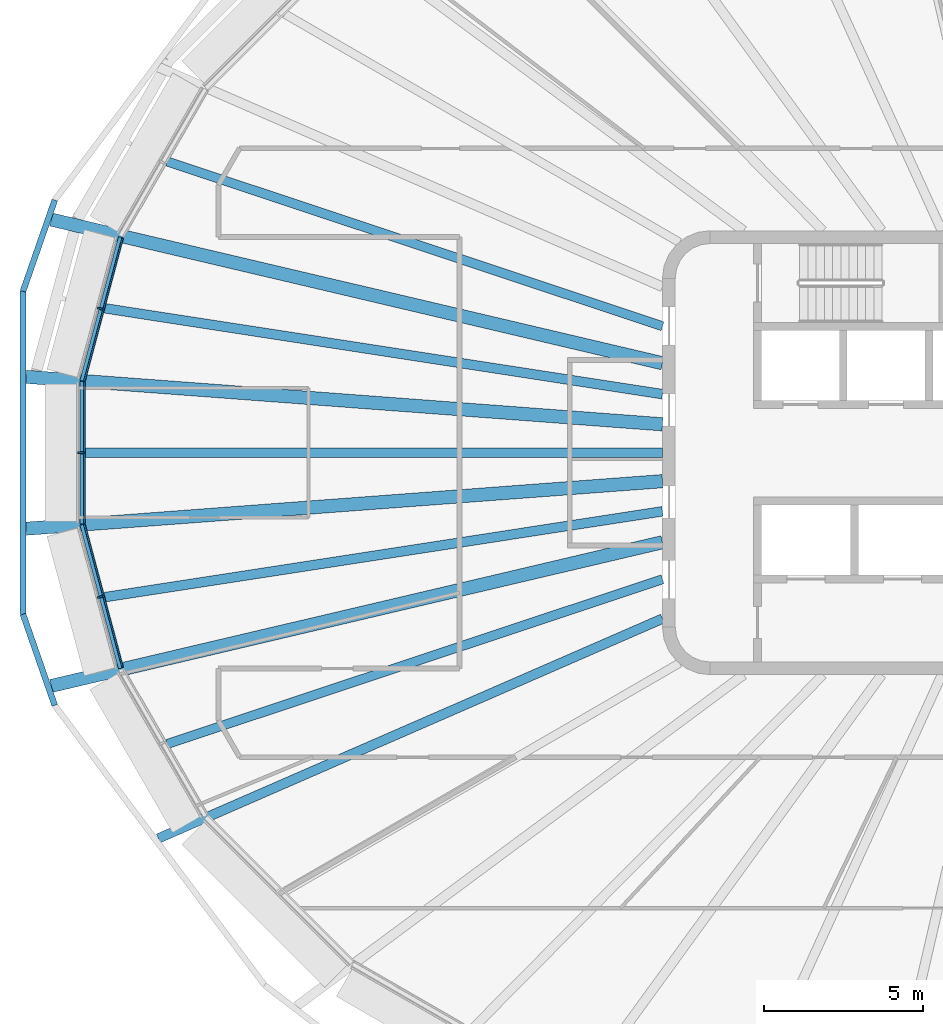
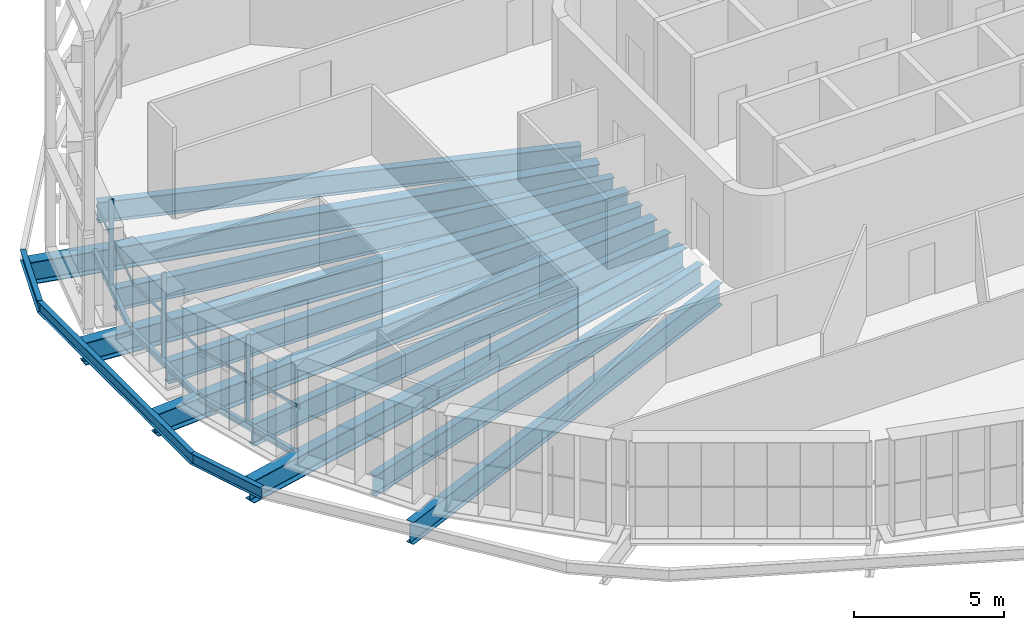
# One storey, part 2 of 20: 16 beams, 6 members, 3 elements without a shape of their own.
"""IFC4 building model written with IfcOpenShell, lengths in metres."""

from ifc_helpers import new_model, si_unit, direction, frame, origin, origin_2d, place, context, subcontext, project, spatial, rectangle, i_section, extrude, material, layer, layer_set, material_profile, profile_set, type_object, element, aggregate, save


model = new_model("IFC4")

# Units and contexts
model_context = context("Model", 3, precision=1e-05, world=origin(), true_north=direction((0.0, 1.0)))
body_context = subcontext(model_context, "Body", "Model", "MODEL_VIEW")
ifc_project = project(units=[si_unit("LENGTHUNIT", "METRE"), si_unit("AREAUNIT", "SQUARE_METRE"), si_unit("VOLUMEUNIT", "CUBIC_METRE"), si_unit("PLANEANGLEUNIT", "RADIAN"), si_unit("MASSUNIT", "GRAM", prefix="KILO")], contexts=[model_context])

# Site, building, storey
site_placement = place(None, origin())
site = spatial("IfcSite", under=ifc_project, at=site_placement, CompositionType="ELEMENT")
building_placement = place(site_placement, origin())
building = spatial("IfcBuilding", under=site, at=building_placement, Name="Sahrelin Media Tower", CompositionType="ELEMENT")
storey_placement = place(building_placement, frame((0.0, 0.0, 237.60009765625)))
storey = spatial("IfcBuildingStorey", under=building, at=storey_placement, Name="L51", CompositionType="ELEMENT", Elevation=237.60009765625)

# Beams
ifc_material_1 = material(Name="Steel S355", Category="steel")
ifc_material_profile_1 = material_profile(ifc_material_1, i_section(OverallWidth=0.14599609375, OverallDepth=0.25146484375, WebThickness=0.006103515625, FlangeThickness=0.008544921875, FilletRadius=0.007568359375, at=origin_2d()), Name="UB 254x146x31")
ifc_profile_set_1 = profile_set([ifc_material_profile_1], Name="Steel S355")
beam_type_1 = type_object("IfcBeamType", Name="Edge beam EB1", PredefinedType="BEAM", material=ifc_profile_set_1)
beam_1_placement = place(storey_placement, frame((-29.082763671875, -6.798095703125, -0.27587890625), z_axis=(-0.258770785767, 0.965938756047, 0.0), x_axis=(-0.965938756047, -0.258770785767, 0.0)))
element("IfcBeam", 1, at=beam_1_placement, inside=storey, type_object=beam_type_1, Name="Edge beam L51-12", PredefinedType="BEAM", context=body_context, shape_type="SweptSolid", body=[
    extrude(i_section(OverallWidth=0.14599609375, OverallDepth=0.25146484375, WebThickness=0.006103515625, FlangeThickness=0.008544921875, FilletRadius=0.007568359375, at=origin_2d()), origin(), (0.0, 0.0, 1.0), 4.68896484375),
])
beam_2_placement = place(storey_placement, frame((-30.300048828125, -2.240234375, -0.27587890625), z_axis=(0.0, 1.0, 0.0), x_axis=(-1.0, 0.0, 0.0)))
element("IfcBeam", 2, at=beam_2_placement, inside=storey, type_object=beam_type_1, Name="Edge beam L51-13", PredefinedType="BEAM", context=body_context, shape_type="SweptSolid", body=[
    extrude(i_section(OverallWidth=0.14599609375, OverallDepth=0.25146484375, WebThickness=0.006103515625, FlangeThickness=0.008544921875, FilletRadius=0.007568359375, at=origin_2d()), origin(), (0.0, 0.0, 1.0), 4.48046875),
])
beam_3_placement = place(storey_placement, frame((-30.296142578125, 2.268798828125, -0.27587890625), z_axis=(0.258770785767, 0.965938756047, 0.0), x_axis=(-0.965938756047, 0.258770785767, 0.0)))
element("IfcBeam", 3, at=beam_3_placement, inside=storey, type_object=beam_type_1, Name="Edge beam L51-14", PredefinedType="BEAM", context=body_context, shape_type="SweptSolid", body=[
    extrude(i_section(OverallWidth=0.14599609375, OverallDepth=0.25146484375, WebThickness=0.006103515625, FlangeThickness=0.008544921875, FilletRadius=0.007568359375, at=origin_2d()), origin(), (0.0, 0.0, 1.0), 4.68896484375),
])

# Curtain wall, member
ifc_material_2 = material(Name="Champagne anodised aluminium 6063-T6", Category="aluminium")
ifc_layer = layer(ifc_material_2, 0.14990234375)
ifc_layer_set = layer_set([ifc_layer], Name="Tower ribbon curtain wall")
curtain_wall_type = type_object("IfcCurtainWallType", Name="Tower ribbon curtain wall", PredefinedType="NOTDEFINED", material=ifc_layer_set)
curtain_wall_1_placement = place(storey_placement, frame((-29.83447265625, 4.572265625, 0.0), z_axis=(0.0, 0.0, 1.0), x_axis=(1.0, 0.0, 0.0)))
curtain_wall_1 = element("IfcCurtainWall", 4, at=curtain_wall_1_placement, inside=storey, type_object=curtain_wall_type, Name="L51:CW:L51-11", PredefinedType="NOTDEFINED")
ifc_material_profile_2 = material_profile(ifc_material_2, rectangle(XDim=0.06005859375, YDim=0.175048828125, at=origin_2d()), Name="Mullion 60x175")
ifc_profile_set_2 = profile_set([ifc_material_profile_2], Name="Champagne anodised aluminium 6063-T6")
member_type_1 = type_object("IfcMemberType", Name="Mullion 60x175 CW1B", PredefinedType="MULLION", material=ifc_profile_set_2)
member_1_placement = place(storey_placement, frame((-29.73046875, 4.54443359375, 0.0), z_axis=(0.0, 0.0, 1.0), x_axis=(-0.258812301662, -0.965927633163, 0.0)))
member_1 = element("IfcMember", 5, at=member_1_placement, type_object=member_type_1, Name="L51:CWM:L51-11", PredefinedType="MULLION", context=body_context, shape_type="SweptSolid", body=[
    extrude(rectangle(XDim=0.06005859375, YDim=0.175048828125, at=origin_2d()), origin(), (0.0, 0.0, 1.0), 3.448486328125),
])

curtain_wall_2_placement = place(storey_placement, frame((-30.449951171875, 0.0, 0.0), z_axis=(0.0, 0.0, 1.0), x_axis=(1.0, 0.0, 0.0)))
curtain_wall_2 = element("IfcCurtainWall", 6, at=curtain_wall_2_placement, inside=storey, type_object=curtain_wall_type, Name="L51:CW:L51-12", PredefinedType="NOTDEFINED")
member_2_placement = place(storey_placement, frame((-30.342529296875, 0.0, 0.0), z_axis=(0.0, 0.0, 1.0), x_axis=(0.0, -1.0, 0.0)))
member_2 = element("IfcMember", 7, at=member_2_placement, type_object=member_type_1, Name="L51:CWM:L51-12", PredefinedType="MULLION", context=body_context, shape_type="SweptSolid", body=[
    extrude(rectangle(XDim=0.06005859375, YDim=0.175048828125, at=origin_2d()), origin(), (0.0, 0.0, 1.0), 3.448486328125),
])

curtain_wall_3_placement = place(storey_placement, frame((-29.834228515625, -4.572265625, 0.0), z_axis=(0.0, 0.0, 1.0), x_axis=(1.0, 0.0, 0.0)))
curtain_wall_3 = element("IfcCurtainWall", 8, at=curtain_wall_3_placement, inside=storey, type_object=curtain_wall_type, Name="L51:CW:L51-13", PredefinedType="NOTDEFINED")
member_3_placement = place(storey_placement, frame((-29.73046875, -4.54443359375, 0.0), z_axis=(0.0, 0.0, 1.0), x_axis=(0.258812301662, -0.965927633163, 0.0)))
member_3 = element("IfcMember", 9, at=member_3_placement, type_object=member_type_1, Name="L51:CWM:L51-13", PredefinedType="MULLION", context=body_context, shape_type="SweptSolid", body=[
    extrude(rectangle(XDim=0.06005859375, YDim=0.175048828125, at=origin_2d()), origin(), (0.0, 0.0, 1.0), 3.448486328125),
])

# Beams
ifc_material_profile_3 = material_profile(ifc_material_1, i_section(OverallWidth=0.30322265625, OverallDepth=0.903076171875, WebThickness=0.01513671875, FlangeThickness=0.020263671875, FilletRadius=0.01904296875, at=origin_2d()), Name="UB 914x305x201")
ifc_profile_set_3 = profile_set([ifc_material_profile_3], Name="Steel S355")
beam_type_2 = type_object("IfcBeamType", Name="Radial primary beam PB11", PredefinedType="BEAM", material=ifc_profile_set_3)
beam_4_placement = place(storey_placement, frame((-12.0, -5.2314453125, -0.6015625), z_axis=(-0.916675468722, -0.399632437427, 0.0), x_axis=(0.399632437427, -0.916675468722, 0.0)))
element("IfcBeam", 10, at=beam_4_placement, inside=storey, type_object=beam_type_2, Name="Radial beam L51-15", PredefinedType="BEAM", context=body_context, shape_type="SweptSolid", body=[
    extrude(i_section(OverallWidth=0.30322265625, OverallDepth=0.903076171875, WebThickness=0.01513671875, FlangeThickness=0.020263671875, FilletRadius=0.01904296875, at=origin_2d()), origin(), (0.0, 0.0, 1.0), 17.342041015625),
])
ifc_material_profile_4 = material_profile(ifc_material_1, i_section(OverallWidth=0.41845703125, OverallDepth=0.911865234375, WebThickness=0.019287109375, FlangeThickness=0.031982421875, FilletRadius=0.024169921875, at=origin_2d()), Name="UB 914x419x343")
ifc_profile_set_4 = profile_set([ifc_material_profile_4], Name="Steel S355")
beam_type_3 = type_object("IfcBeamType", Name="Radial primary beam PB12", PredefinedType="BEAM", material=ifc_profile_set_4)
beam_5_placement = place(storey_placement, frame((-12.0, 2.8212890625, -0.60595703125), z_axis=(-0.973452730745, 0.228888140814, 0.0), x_axis=(-0.228888140814, -0.973452730745, 0.0)))
element("IfcBeam", 11, at=beam_5_placement, inside=storey, type_object=beam_type_3, Name="Radial beam L51-11", PredefinedType="BEAM", context=body_context, shape_type="SweptSolid", body=[
    extrude(i_section(OverallWidth=0.41845703125, OverallDepth=0.911865234375, WebThickness=0.019287109375, FlangeThickness=0.031982421875, FilletRadius=0.024169921875, at=origin_2d()), origin(), (0.0, 0.0, 1.0), 19.801025390625),
])
for number, where, z_axis, x_axis, name in (
    (12, (-12.0, 0.896484375, -0.60595703125), (-0.997222650393, 0.074478087676, 0.0), (-0.074478087676, -0.997222650393, 0.0), "Radial beam L51-12"),
    (13, (-12.0, -0.896484375, -0.60595703125), (-0.997222650393, -0.074478087676, 0.0), (0.074478087676, -0.997222650393, 0.0), "Radial beam L51-13"),
):
    element("IfcBeam", number, at=place(storey_placement, frame(where, z_axis=z_axis, x_axis=x_axis)), inside=storey, type_object=beam_type_3, Name=name, PredefinedType="BEAM", context=body_context, shape_type="SweptSolid", body=[
        extrude(i_section(OverallWidth=0.41845703125, OverallDepth=0.911865234375, WebThickness=0.019287109375, FlangeThickness=0.031982421875, FilletRadius=0.024169921875, at=origin_2d()), origin(), (0.0, 0.0, 1.0), 20.123779296875),
    ])
beam_6_placement = place(storey_placement, frame((-12.0, -2.8212890625, -0.60595703125), z_axis=(-0.973452730745, -0.228888140814, 0.0), x_axis=(0.228888140814, -0.973452730745, 0.0)))
element("IfcBeam", 14, at=beam_6_placement, inside=storey, type_object=beam_type_3, Name="Radial beam L51-14", PredefinedType="BEAM", context=body_context, shape_type="SweptSolid", body=[
    extrude(i_section(OverallWidth=0.41845703125, OverallDepth=0.911865234375, WebThickness=0.019287109375, FlangeThickness=0.031982421875, FilletRadius=0.024169921875, at=origin_2d()), origin(), (0.0, 0.0, 1.0), 19.801025390625),
])
ifc_material_profile_5 = material_profile(ifc_material_1, i_section(OverallWidth=0.291748046875, OverallDepth=0.8349609375, WebThickness=0.013916015625, FlangeThickness=0.018798828125, FilletRadius=0.017822265625, at=origin_2d()), Name="UB 838x292x176")
ifc_profile_set_5 = profile_set([ifc_material_profile_5], Name="Steel S355")
beam_type_4 = type_object("IfcBeamType", Name="Radial secondary beam SB10", PredefinedType="BEAM", material=ifc_profile_set_5)
for number, where, z_axis, x_axis, name in (
    (15, (-12.0, 3.990234375, -0.567626953125), (-0.948913009395, 0.315537795835, 0.0), (-0.315537795835, -0.948913009395, 0.0), "Secondary beam L51-10"),
    (16, (-12.0, -3.990234375, -0.567626953125), (-0.948913009395, -0.315537795835, 0.0), (0.315537795835, -0.948913009395, 0.0), "Secondary beam L51-14"),
):
    element("IfcBeam", number, at=place(storey_placement, frame(where, z_axis=z_axis, x_axis=x_axis)), inside=storey, type_object=beam_type_4, Name=name, PredefinedType="BEAM", context=body_context, shape_type="SweptSolid", body=[
        extrude(i_section(OverallWidth=0.291748046875, OverallDepth=0.8349609375, WebThickness=0.013916015625, FlangeThickness=0.018798828125, FilletRadius=0.017822265625, at=origin_2d()), origin(), (0.0, 0.0, 1.0), 16.45556640625),
    ])
ifc_material_profile_6 = material_profile(ifc_material_1, i_section(OverallWidth=0.30322265625, OverallDepth=0.903076171875, WebThickness=0.01513671875, FlangeThickness=0.020263671875, FilletRadius=0.01904296875, at=origin_2d()), Name="UB 914x305x201")
ifc_profile_set_6 = profile_set([ifc_material_profile_6], Name="Steel S355")
beam_type_5 = type_object("IfcBeamType", Name="Radial secondary beam SB11", PredefinedType="BEAM", material=ifc_profile_set_6)
beam_7_placement = place(storey_placement, frame((-12.0, 1.847412109375, -0.6015625), z_axis=(-0.988358068544, 0.152145747046, 0.0), x_axis=(-0.152145747046, -0.988358068544, 0.0)))
element("IfcBeam", 17, at=beam_7_placement, inside=storey, type_object=beam_type_5, Name="Secondary beam L51-11", PredefinedType="BEAM", context=body_context, shape_type="SweptSolid", body=[
    extrude(i_section(OverallWidth=0.30322265625, OverallDepth=0.903076171875, WebThickness=0.01513671875, FlangeThickness=0.020263671875, FilletRadius=0.01904296875, at=origin_2d()), origin(), (0.0, 0.0, 1.0), 17.81494140625),
])
beam_8_placement = place(storey_placement, frame((-12.0, 0.0, -0.6015625), z_axis=(-1.0, 0.0, 0.0), x_axis=(0.0, -1.0, 0.0)))
element("IfcBeam", 18, at=beam_8_placement, inside=storey, type_object=beam_type_5, Name="Secondary beam L51-12", PredefinedType="BEAM", context=body_context, shape_type="SweptSolid", body=[
    extrude(i_section(OverallWidth=0.30322265625, OverallDepth=0.903076171875, WebThickness=0.01513671875, FlangeThickness=0.020263671875, FilletRadius=0.01904296875, at=origin_2d()), origin(), (0.0, 0.0, 1.0), 18.22705078125),
])
beam_9_placement = place(storey_placement, frame((-12.0, -1.847412109375, -0.6015625), z_axis=(-0.988358068544, -0.152145747046, 0.0), x_axis=(0.152145747046, -0.988358068544, 0.0)))
element("IfcBeam", 19, at=beam_9_placement, inside=storey, type_object=beam_type_5, Name="Secondary beam L51-13", PredefinedType="BEAM", context=body_context, shape_type="SweptSolid", body=[
    extrude(i_section(OverallWidth=0.30322265625, OverallDepth=0.903076171875, WebThickness=0.01513671875, FlangeThickness=0.020263671875, FilletRadius=0.01904296875, at=origin_2d()), origin(), (0.0, 0.0, 1.0), 17.81494140625),
])
ifc_material_profile_7 = material_profile(ifc_material_1, i_section(OverallWidth=0.1904296875, OverallDepth=0.45703125, WebThickness=0.009033203125, FlangeThickness=0.014404296875, FilletRadius=0.01025390625, at=origin_2d()), Name="UB 457x191x74")
ifc_profile_set_7 = profile_set([ifc_material_profile_7], Name="Steel S355")
beam_type_6 = type_object("IfcBeamType", Name="Tie chord TC5", PredefinedType="BEAM", material=ifc_profile_set_7)
beam_10_placement = place(storey_placement, frame((-31.162353515625, 7.96728515625, -0.378662109375), z_axis=(-0.328785051496, -0.944404780755, 0.0), x_axis=(0.944404780755, -0.328785051496, 0.0)))
element("IfcBeam", 20, at=beam_10_placement, inside=storey, type_object=beam_type_6, Name="Tie chord L51-11", PredefinedType="BEAM", context=body_context, shape_type="SweptSolid", body=[
    extrude(i_section(OverallWidth=0.1904296875, OverallDepth=0.45703125, WebThickness=0.009033203125, FlangeThickness=0.014404296875, FilletRadius=0.01025390625, at=origin_2d()), origin(), (0.0, 0.0, 1.0), 3.043701171875),
])
beam_11_placement = place(storey_placement, frame((-32.1630859375, 5.0927734375, -0.378662109375), z_axis=(0.0, -1.0, 0.0), x_axis=(1.0, 0.0, 0.0)))
element("IfcBeam", 21, at=beam_11_placement, inside=storey, type_object=beam_type_6, Name="Tie chord L51-12", PredefinedType="BEAM", context=body_context, shape_type="SweptSolid", body=[
    extrude(i_section(OverallWidth=0.1904296875, OverallDepth=0.45703125, WebThickness=0.009033203125, FlangeThickness=0.014404296875, FilletRadius=0.01025390625, at=origin_2d()), origin(), (0.0, 0.0, 1.0), 10.185546875),
])
beam_12_placement = place(storey_placement, frame((-32.1630859375, -5.0927734375, -0.378662109375), z_axis=(0.328785051496, -0.944404780755, 0.0), x_axis=(0.944404780755, 0.328785051496, 0.0)))
element("IfcBeam", 22, at=beam_12_placement, inside=storey, type_object=beam_type_6, Name="Tie chord L51-13", PredefinedType="BEAM", context=body_context, shape_type="SweptSolid", body=[
    extrude(i_section(OverallWidth=0.1904296875, OverallDepth=0.45703125, WebThickness=0.009033203125, FlangeThickness=0.014404296875, FilletRadius=0.01025390625, at=origin_2d()), origin(), (0.0, 0.0, 1.0), 3.043701171875),
])

# Member
ifc_material_profile_8 = material_profile(ifc_material_2, rectangle(XDim=0.050048828125, YDim=0.110107421875, at=origin_2d()), Name="Transom 50x110")
ifc_profile_set_8 = profile_set([ifc_material_profile_8], Name="Champagne anodised aluminium 6063-T6")
member_type_2 = type_object("IfcMemberType", Name="Transom 50x110 CW1B", PredefinedType="USERDEFINED", material=ifc_profile_set_8)
member_4_placement = place(storey_placement, frame((-29.01904296875, 6.7646484375, 1.599853515625), z_axis=(-0.258843509974, -0.965919270614, 0.0), x_axis=(0.965919270614, -0.258843509974, 0.0)))
member_4 = element("IfcMember", 23, at=member_4_placement, type_object=member_type_2, Name="L51:CWT:L51-11", ObjectType="TRANSOM", PredefinedType="USERDEFINED", context=body_context, shape_type="SweptSolid", body=[
    extrude(rectangle(XDim=0.050048828125, YDim=0.110107421875, at=origin_2d()), origin(), (0.0, 0.0, 1.0), 4.657470703125),
])

aggregate(curtain_wall_1, [member_1, member_4])

member_5_placement = place(storey_placement, frame((-30.22998046875, 2.224609375, 1.599853515625), z_axis=(0.0, -1.0, 0.0), x_axis=(1.0, 0.0, 0.0)))
member_5 = element("IfcMember", 24, at=member_5_placement, type_object=member_type_2, Name="L51:CWT:L51-12", ObjectType="TRANSOM", PredefinedType="USERDEFINED", context=body_context, shape_type="SweptSolid", body=[
    extrude(rectangle(XDim=0.050048828125, YDim=0.110107421875, at=origin_2d()), origin(), (0.0, 0.0, 1.0), 4.44921875),
])

aggregate(curtain_wall_2, [member_2, member_5])

member_6_placement = place(storey_placement, frame((-30.224609375, -2.265869140625, 1.599853515625), z_axis=(0.258843509974, -0.965919270614, 0.0), x_axis=(0.965919270614, 0.258843509974, 0.0)))
member_6 = element("IfcMember", 25, at=member_6_placement, type_object=member_type_2, Name="L51:CWT:L51-13", ObjectType="TRANSOM", PredefinedType="USERDEFINED", context=body_context, shape_type="SweptSolid", body=[
    extrude(rectangle(XDim=0.050048828125, YDim=0.110107421875, at=origin_2d()), origin(), (0.0, 0.0, 1.0), 4.657470703125),
])

aggregate(curtain_wall_3, [member_3, member_6])

save(model, "model.ifc")
